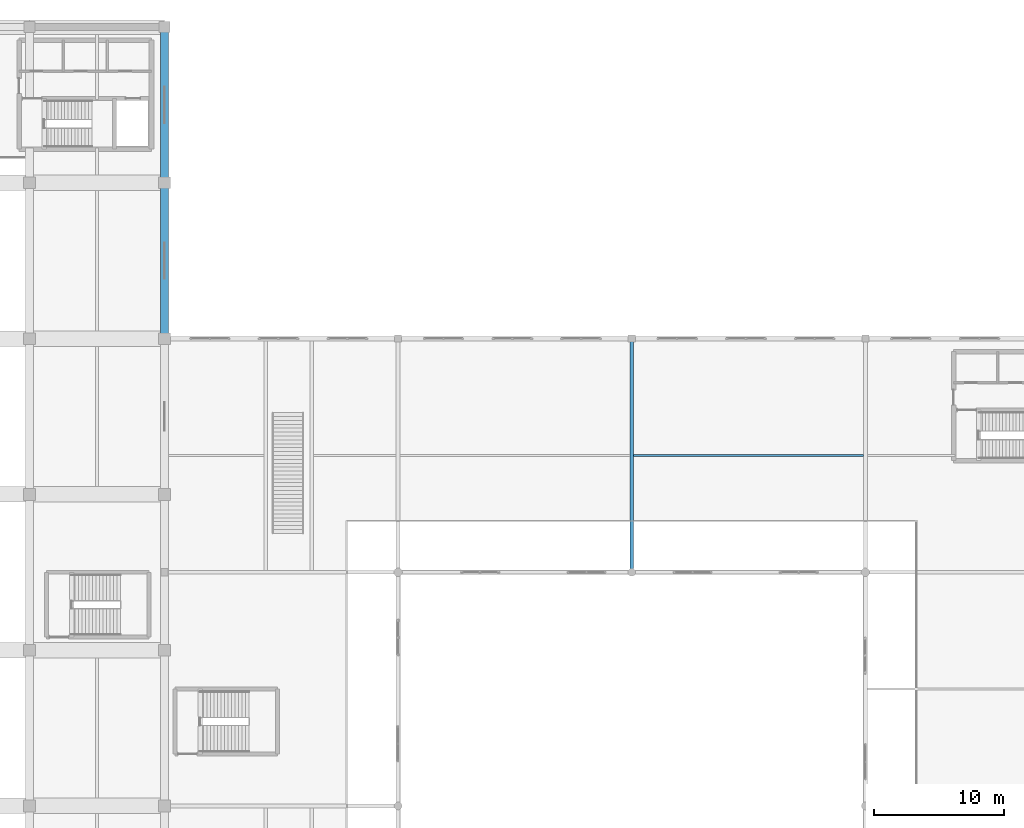
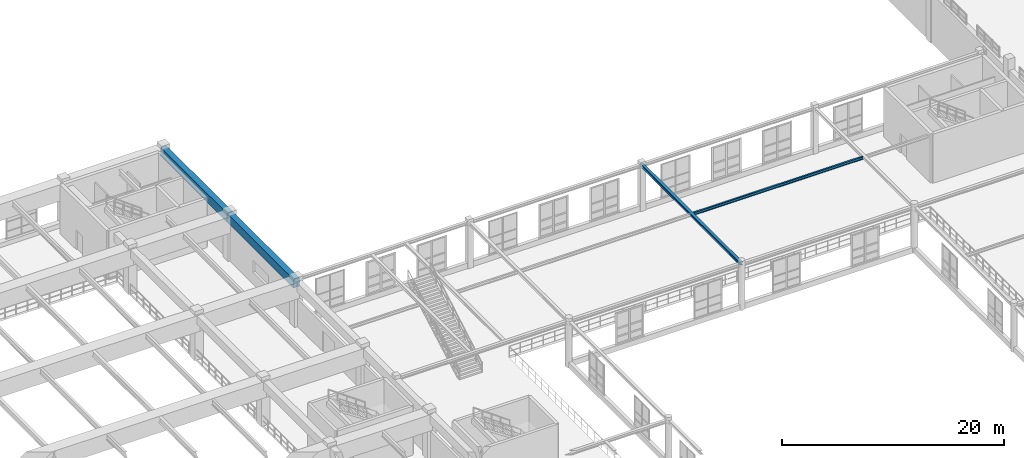
# One storey, part 86 of 197: 4 beams.
"""IFC4 building model written with IfcOpenShell, lengths in metres."""

from ifc_helpers import new_model, si_unit, derived_unit, direction, frame, origin, origin_2d, place, context, subcontext, project, spatial, rectangle, i_section, extrude, material, material_profile, profile_set, type_object, element, save


model = new_model("IFC4")

# Units and contexts
model_context = context("Model", 3, precision=1e-05, world=origin(), true_north=direction((0.0, 1.0)))
body_context = subcontext(model_context, "Body", "Model", "MODEL_VIEW")
ifc_project = project(units=[si_unit("LENGTHUNIT", "METRE"), si_unit("AREAUNIT", "SQUARE_METRE"), si_unit("VOLUMEUNIT", "CUBIC_METRE"), si_unit("PLANEANGLEUNIT", "RADIAN"), si_unit("MASSUNIT", "GRAM", prefix="KILO"), derived_unit("THERMALTRANSMITTANCEUNIT", [(si_unit("POWERUNIT", "WATT"), 1), (si_unit("LENGTHUNIT", "METRE"), -2), (si_unit("THERMODYNAMICTEMPERATUREUNIT", "KELVIN"), -1)])], contexts=[model_context])

# Site, building, storey
site_placement = place(None, origin())
site = spatial("IfcSite", under=ifc_project, at=site_placement, CompositionType="ELEMENT")
building_placement = place(site_placement, origin())
building = spatial("IfcBuilding", under=site, at=building_placement, Name="Almenara Railside Exhibition Hall", CompositionType="ELEMENT")
storey_placement = place(building_placement, frame((0.0, 0.0, 5.39990234375)))
storey = spatial("IfcBuildingStorey", under=building, at=storey_placement, Name="L01", CompositionType="ELEMENT", Elevation=5.39990234375)

# Beams
ifc_material_1 = material(Name="Concrete C40/50", Category="concrete")
ifc_material_profile_1 = material_profile(ifc_material_1, rectangle(XDim=0.60009765625, YDim=0.949951171875, at=origin_2d()), Name="RC 600x950")
ifc_profile_set_1 = profile_set([ifc_material_profile_1], Name="Concrete C40/50")
beam_type_1 = type_object("IfcBeamType", Name="RC Hall Edge Beam 600x950 C40/50", PredefinedType="BEAM", material=ifc_profile_set_1)
for number, where, z_axis, x_axis, name in (
    (1, (66.0, 108.0, 4.52099609375), (0.0, 1.0, 0.0), (-1.0, 0.0, 0.0), "Beam 0647"),
    (2, (66.0, 120.0, 4.52099609375), (0.0, 1.0, 0.0), (-1.0, 0.0, 0.0), "Beam 0660"),
):
    element("IfcBeam", number, at=place(storey_placement, frame(where, z_axis=z_axis, x_axis=x_axis)), inside=storey, type_object=beam_type_1, Name=name, PredefinedType="BEAM", context=body_context, shape_type="SweptSolid", body=[
        extrude(rectangle(XDim=0.60009765625, YDim=0.949951171875, at=origin_2d()), origin(), (0.0, 0.0, 1.0), 12.0),
    ])
ifc_material_2 = material(Name="Structural steel S355JR", Category="steel")
ifc_material_profile_2 = material_profile(ifc_material_2, i_section(OverallWidth=0.300048828125, OverallDepth=0.31005859375, WebThickness=0.009033203125, FlangeThickness=0.015380859375, FilletRadius=0.027099609375, at=origin_2d()), Name="HEA 320")
ifc_profile_set_2 = profile_set([ifc_material_profile_2], Name="Structural steel S355JR")
beam_type_2 = type_object("IfcBeamType", Name="Steel Concourse Edge Beam HEA 320 S355JR", PredefinedType="BEAM", material=ifc_profile_set_2)
beam_1_placement = place(storey_placement, frame((102.0, 90.0, 4.93115234375), z_axis=(0.0, 1.0, 0.0), x_axis=(-1.0, 0.0, 0.0)))
element("IfcBeam", 3, at=beam_1_placement, inside=storey, type_object=beam_type_2, Name="Beam 0817", PredefinedType="BEAM", context=body_context, shape_type="SweptSolid", body=[
    extrude(i_section(OverallWidth=0.300048828125, OverallDepth=0.31005859375, WebThickness=0.009033203125, FlangeThickness=0.015380859375, FilletRadius=0.027099609375, at=origin_2d()), origin(), (0.0, 0.0, 1.0), 18.0),
])
ifc_material_profile_3 = material_profile(ifc_material_2, i_section(OverallWidth=0.165771484375, OverallDepth=0.306640625, WebThickness=0.006591796875, FlangeThickness=0.01171875, FilletRadius=0.0087890625, at=origin_2d()), Name="UB 305x165x46")
ifc_profile_set_3 = profile_set([ifc_material_profile_3], Name="Structural steel S355JR")
beam_type_3 = type_object("IfcBeamType", Name="Steel Walkway Joist UB 305x165x46 S355JR", PredefinedType="JOIST", material=ifc_profile_set_3)
beam_2_placement = place(storey_placement, frame((102.14990234375, 99.0, 4.932861328125), z_axis=(1.0, 0.0, 0.0), x_axis=(0.0, 1.0, 0.0)))
element("IfcBeam", 4, at=beam_2_placement, inside=storey, type_object=beam_type_3, Name="Beam 0804", PredefinedType="JOIST", context=body_context, shape_type="SweptSolid", body=[
    extrude(i_section(OverallWidth=0.165771484375, OverallDepth=0.306640625, WebThickness=0.006591796875, FlangeThickness=0.01171875, FilletRadius=0.0087890625, at=origin_2d()), origin(), (0.0, 0.0, 1.0), 17.7001953125),
])

save(model, "model.ifc")
